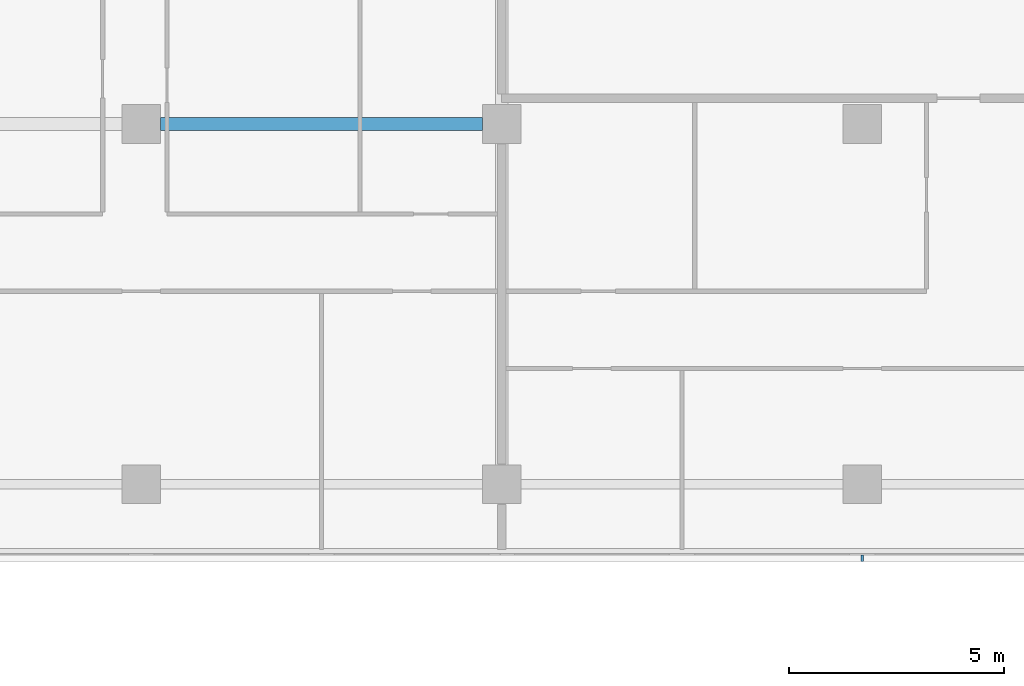
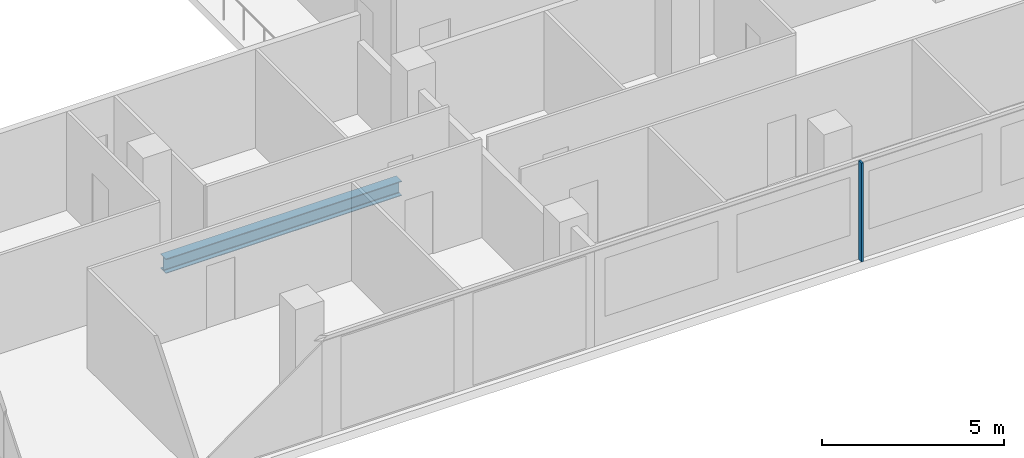
# One storey, part 6 of 29: 1 beam, 1 member, 1 element without a shape of its own.
"""IFC4 building model written with IfcOpenShell, lengths in metres."""

from ifc_helpers import new_model, si_unit, direction, frame, origin, origin_2d, place, context, subcontext, project, spatial, rectangle, i_section, extrude, material, material_profile, profile_set, type_object, element, aggregate, save


model = new_model("IFC4")

# Units and contexts
model_context = context("Model", 3, precision=1e-05, world=origin(), true_north=direction((0.0, 1.0)))
body_context = subcontext(model_context, "Body", "Model", "MODEL_VIEW")
ifc_project = project(units=[si_unit("LENGTHUNIT", "METRE"), si_unit("AREAUNIT", "SQUARE_METRE"), si_unit("VOLUMEUNIT", "CUBIC_METRE"), si_unit("PLANEANGLEUNIT", "RADIAN"), si_unit("MASSUNIT", "GRAM", prefix="KILO")], contexts=[model_context])

# Site, building, storey
site_placement = place(None, origin())
site = spatial("IfcSite", under=ifc_project, at=site_placement, CompositionType="ELEMENT")
building_placement = place(site_placement, origin())
building = spatial("IfcBuilding", under=site, at=building_placement, Name="Saffron Gate Tower", CompositionType="ELEMENT")
storey_placement = place(building_placement, frame((0.0, 0.0, 48.0)))
storey = spatial("IfcBuildingStorey", under=building, at=storey_placement, Name="L10", CompositionType="ELEMENT", Elevation=48.0)

# Beam
ifc_material_1 = material(Name="Structural steel S355", Category="steel")
ifc_material_profile_1 = material_profile(ifc_material_1, i_section(OverallWidth=0.300048828125, OverallDepth=0.489990234375, WebThickness=0.011962890625, FlangeThickness=0.02294921875, FilletRadius=0.027099609375, at=origin_2d()))
ifc_profile_set_1 = profile_set([ifc_material_profile_1], Name="Structural steel S355")
beam_type = type_object("IfcBeamType", Name="B8 HEA 500", PredefinedType="BEAM", material=ifc_profile_set_1)
beam_placement = place(storey_placement, frame((92.25, 40.199951171875, -0.52490234375), z_axis=(1.0, 0.0, 0.0), x_axis=(0.0, 1.0, 0.0)))
element("IfcBeam", 1, at=beam_placement, inside=storey, type_object=beam_type, Name="B8 FLOOR GIRDER", PredefinedType="BEAM", context=body_context, shape_type="SweptSolid", body=[
    extrude(i_section(OverallWidth=0.300048828125, OverallDepth=0.489990234375, WebThickness=0.011962890625, FlangeThickness=0.02294921875, FilletRadius=0.027099609375, at=origin_2d()), origin(), (0.0, 0.0, 1.0), 7.5),
])

# Curtain wall, member
ifc_material_2 = material(Name="Aluminium, bronze anodised", Category="aluminium")
curtain_wall_type = type_object("IfcCurtainWallType", Name="CWS1 curtain wall front facade", PredefinedType="NOTDEFINED", material=ifc_material_2)
curtain_wall_placement = place(storey_placement, origin())
curtain_wall = element("IfcCurtainWall", 2, at=curtain_wall_placement, inside=storey, type_object=curtain_wall_type, Name="CWS1 run 1", PredefinedType="NOTDEFINED")
ifc_material_profile_2 = material_profile(ifc_material_2, rectangle(XDim=0.159912109375, YDim=0.06005859375, at=origin_2d()))
ifc_profile_set_2 = profile_set([ifc_material_profile_2], Name="Aluminium, bronze anodised")
member_type = type_object("IfcMemberType", Name="CWS1 mullion 60x160", PredefinedType="MULLION", material=ifc_profile_set_2)
member_placement = place(storey_placement, frame((108.60009765625, 30.080078125, 0.0), z_axis=(0.0, 0.0, 1.0), x_axis=(0.0, 1.0, 0.0)))
member = element("IfcMember", 3, at=member_placement, type_object=member_type, Name="CWS1 mullion 8", PredefinedType="MULLION", context=body_context, shape_type="SweptSolid", body=[
    extrude(rectangle(XDim=0.159912109375, YDim=0.06005859375, at=origin_2d()), origin(), (0.0, 0.0, 1.0), 3.320068359375),
])
aggregate(curtain_wall, [member])

save(model, "model.ifc")
